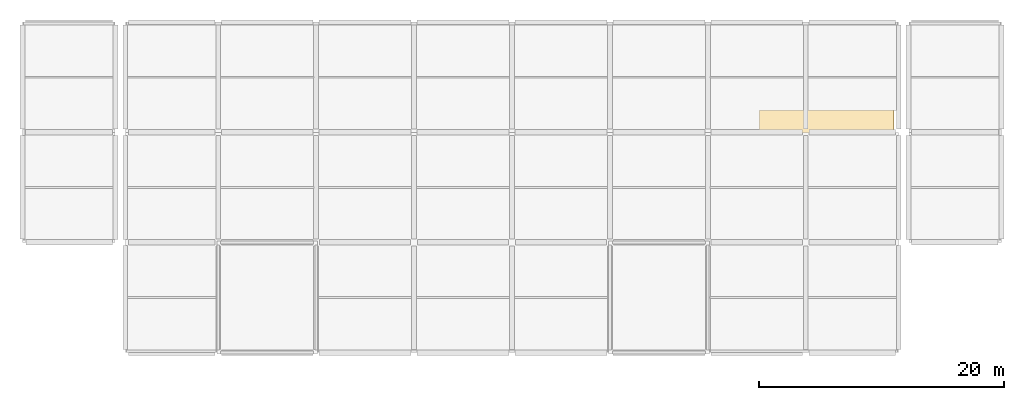
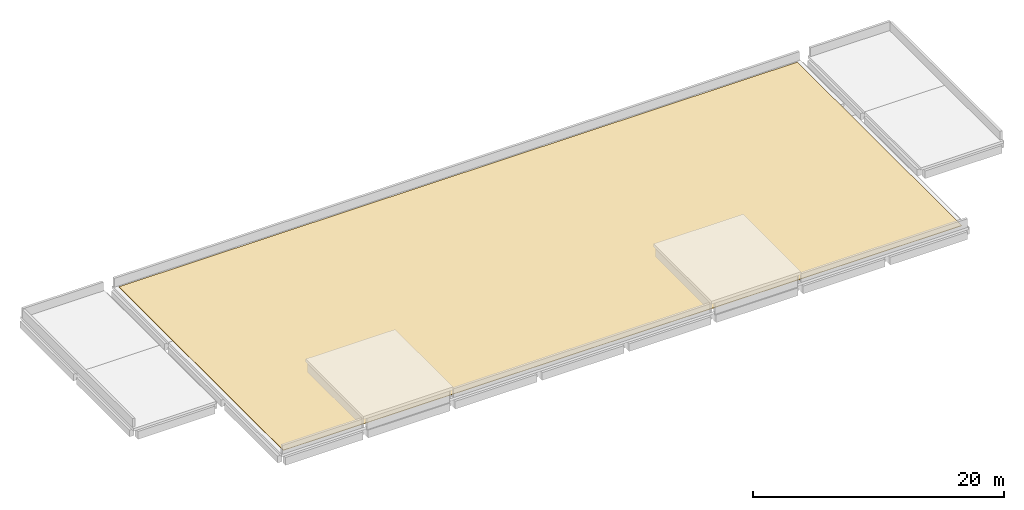
# One storey, part 3 of 3: 1 covering.
"""IFC4 building model written with IfcOpenShell, lengths in metres."""

from ifc_helpers import new_model, si_unit, direction, frame, origin, place, context, subcontext, project, spatial, polyline, outline, extrude, material, layer, layer_set, type_object, element, save


model = new_model("IFC4")

# Units and contexts
model_context = context("Model", 3, precision=1e-05, world=origin(), true_north=direction((0.0, 1.0)))
body_context = subcontext(model_context, "Body", "Model", "MODEL_VIEW")
ifc_project = project(units=[si_unit("LENGTHUNIT", "METRE"), si_unit("AREAUNIT", "SQUARE_METRE"), si_unit("VOLUMEUNIT", "CUBIC_METRE"), si_unit("PLANEANGLEUNIT", "RADIAN"), si_unit("MASSUNIT", "GRAM", prefix="KILO"), si_unit("THERMODYNAMICTEMPERATUREUNIT", "KELVIN"), si_unit("POWERUNIT", "WATT")], contexts=[model_context])

# Site, building, storey
site_placement = place(None, origin())
site = spatial("IfcSite", under=ifc_project, at=site_placement, CompositionType="ELEMENT")
building_placement = place(site_placement, origin())
building = spatial("IfcBuilding", under=site, at=building_placement, Name="Kronsvod Quay Wholesale Market", CompositionType="ELEMENT")
storey_placement = place(building_placement, frame((0.0, 0.0, 17.10009765625)))
storey = spatial("IfcBuildingStorey", under=building, at=storey_placement, Name="Roof", CompositionType="ELEMENT", Elevation=17.10009765625)

# Covering
ifc_material = material(Name="Thermoplastic polyolefin roofing membrane")
ifc_layer = layer(ifc_material, 0.044921875)
ifc_layer_set = layer_set([ifc_layer], Name="Thermoplastic polyolefin roofing membrane")
covering_type = type_object("IfcCoveringType", Name="Cov_RoofMembrane", PredefinedType="ROOFING", material=ifc_layer_set)
covering_placement = place(storey_placement, origin())
element("IfcCovering", 1, at=covering_placement, inside=storey, type_object=covering_type, Name="COV-RF-V5C", PredefinedType="ROOFING", context=body_context, shape_type="SweptSolid", body=[
    extrude(outline(polyline([(64.800048828125, 99.39990234375), (127.199951171875, 99.39990234375), (127.199951171875, 125.60009765625), (64.800048828125, 125.60009765625), (64.800048828125, 99.39990234375)])), origin(), (0.0, 0.0, 1.0), 0.044921875),
])

save(model, "model.ifc")
